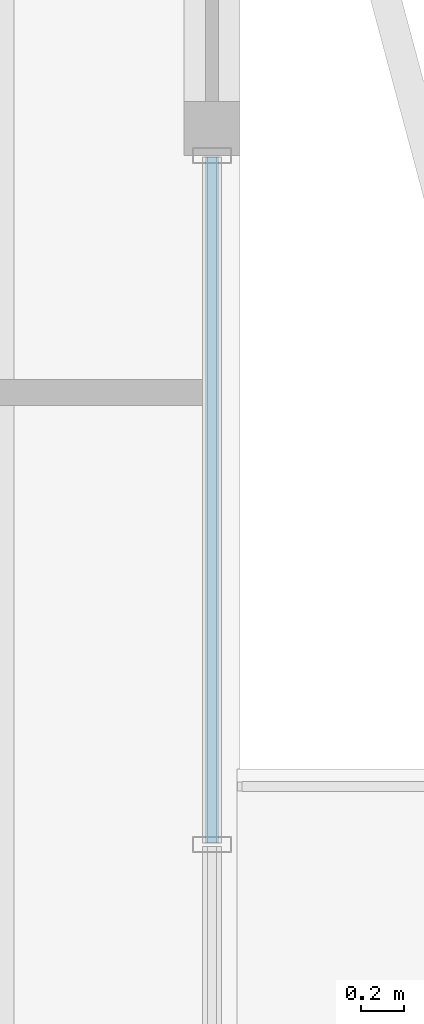
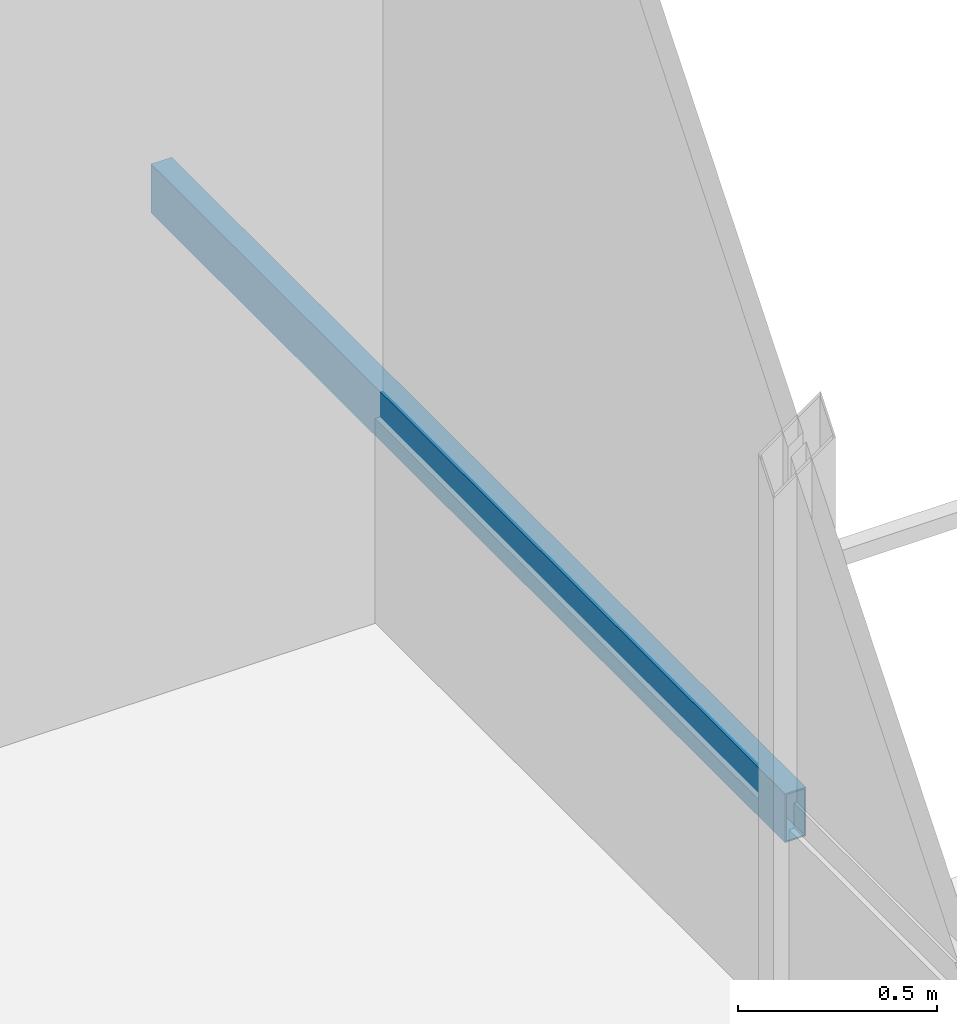
# One storey, part 11 of 25: 1 member, 1 element without a shape of its own.
"""IFC4 building model written with IfcOpenShell, lengths in metres."""

from ifc_helpers import new_model, si_unit, direction, frame, origin, origin_2d, place, context, subcontext, project, spatial, hollow_rectangle, extrude, material, layer, layer_set, material_profile, profile_set, type_object, element, aggregate, save


model = new_model("IFC4")

# Units and contexts
model_context = context("Model", 3, precision=1e-05, world=origin(), true_north=direction((0.0, 1.0)))
body_context = subcontext(model_context, "Body", "Model", "MODEL_VIEW")
ifc_project = project(units=[si_unit("LENGTHUNIT", "METRE"), si_unit("AREAUNIT", "SQUARE_METRE"), si_unit("VOLUMEUNIT", "CUBIC_METRE"), si_unit("PLANEANGLEUNIT", "RADIAN"), si_unit("MASSUNIT", "GRAM", prefix="KILO")], contexts=[model_context])

# Site, building, storey
site_placement = place(None, origin())
site = spatial("IfcSite", under=ifc_project, at=site_placement, CompositionType="ELEMENT")
building_placement = place(site_placement, origin())
building = spatial("IfcBuilding", under=site, at=building_placement, Name="Belovzor Exchange Tower", CompositionType="ELEMENT")
storey_placement = place(building_placement, frame((0.0, 0.0, 160.800048828125)))
storey = spatial("IfcBuildingStorey", under=building, at=storey_placement, Name="L39", CompositionType="ELEMENT", Elevation=160.800048828125)

# Curtain wall, member
ifc_material_1 = material(Name="Anodised Aluminium Framing", Category="aluminium")
ifc_layer = layer(ifc_material_1, 0.179931640625)
ifc_layer_set = layer_set([ifc_layer], Name="Anodised Aluminium Framing")
curtain_wall_type = type_object("IfcCurtainWallType", Name="Recessed Loggia Low-Iron Triple-Glazed Curtain Wall", PredefinedType="NOTDEFINED", material=ifc_layer_set)
curtain_wall_placement = place(storey_placement, origin())
curtain_wall = element("IfcCurtainWall", 1, at=curtain_wall_placement, inside=storey, type_object=curtain_wall_type, Name="CW3 Recessed Loggia Low-Iron Triple-Glazed Curtain Wall L39", PredefinedType="NOTDEFINED")
ifc_material_2 = material(Name="Steel S355", Category="steel")
ifc_material_profile = material_profile(ifc_material_2, hollow_rectangle(XDim=0.06005859375, YDim=0.14990234375, WallThickness=0.00390625, at=origin_2d()))
ifc_profile_set = profile_set([ifc_material_profile], Name="Steel S355")
member_type = type_object("IfcMemberType", Name="Thermally Broken Curtain Wall Transom 150x60", PredefinedType="USERDEFINED", material=ifc_profile_set)
member_placement = place(storey_placement, frame((52.969970703125, 33.592041015625, 0.62890625), z_axis=(0.0, -1.0, 0.0), x_axis=(1.0, 0.0, 0.0)))
member = element("IfcMember", 2, at=member_placement, type_object=member_type, Name="CW-T150 Curtain Wall Transom 1", ObjectType="TRANSOM", PredefinedType="USERDEFINED", context=body_context, shape_type="SweptSolid", body=[
    extrude(hollow_rectangle(XDim=0.06005859375, YDim=0.14990234375, WallThickness=0.00390625, at=origin_2d()), origin(), (0.0, 0.0, 1.0), 3.18408203125),
])
aggregate(curtain_wall, [member])

save(model, "model.ifc")
